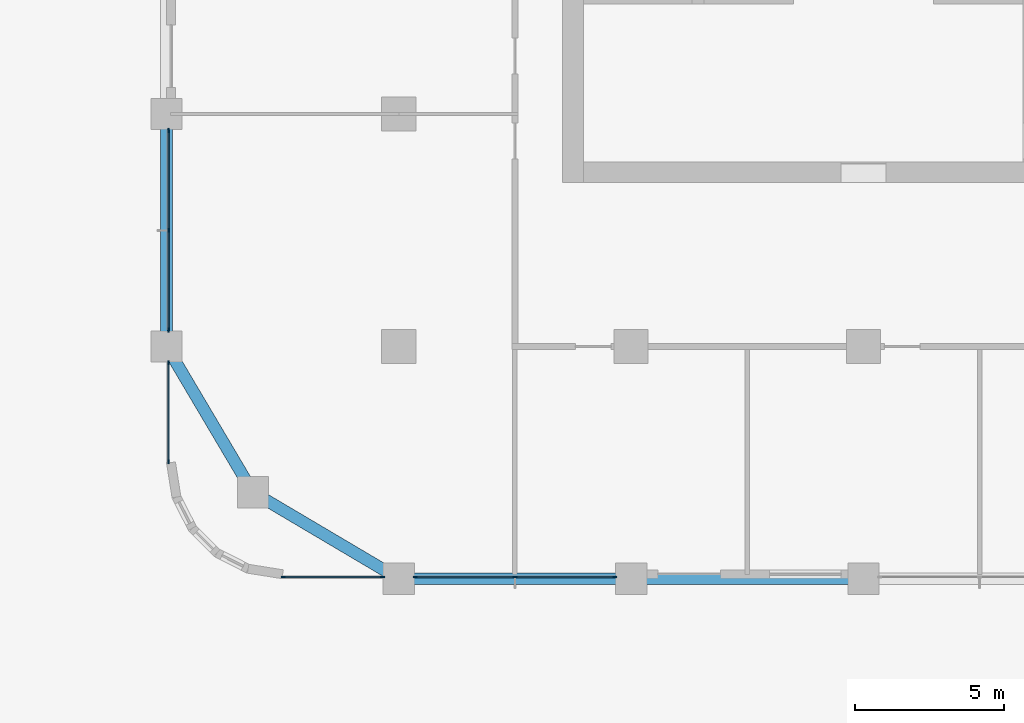
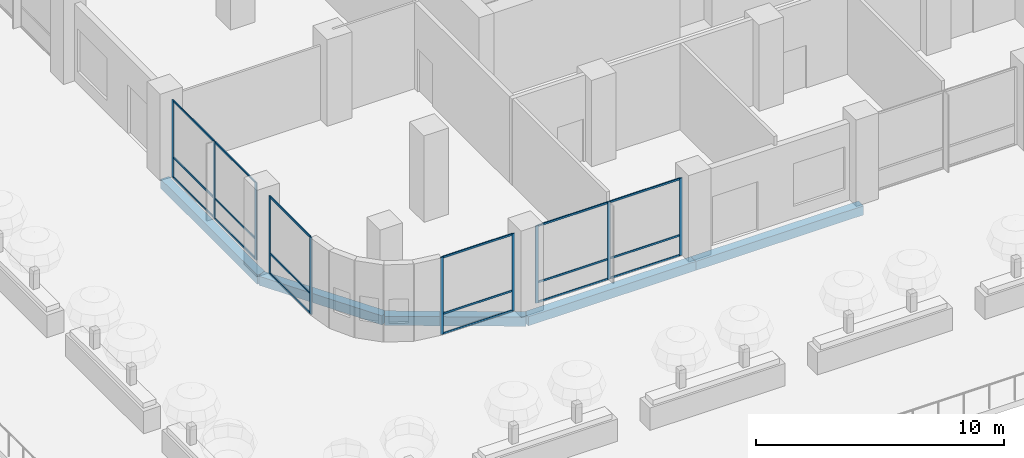
# One storey, part 2 of 31: 28 members, 5 beams, 4 elements without a shape of their own.
"""IFC4 building model written with IfcOpenShell, lengths in metres."""

from ifc_helpers import new_model, si_unit, direction, frame, origin, origin_2d, place, context, subcontext, project, spatial, rectangle, extrude, material, material_profile, profile_set, type_object, element, aggregate, save


model = new_model("IFC4")

# Units and contexts
model_context = context("Model", 3, precision=1e-05, world=origin(), true_north=direction((0.0, 1.0)))
body_context = subcontext(model_context, "Body", "Model", "MODEL_VIEW")
ifc_project = project(units=[si_unit("LENGTHUNIT", "METRE"), si_unit("AREAUNIT", "SQUARE_METRE"), si_unit("VOLUMEUNIT", "CUBIC_METRE"), si_unit("PLANEANGLEUNIT", "RADIAN"), si_unit("MASSUNIT", "GRAM", prefix="KILO")], contexts=[model_context])

# Site, building, storey
site_placement = place(None, origin())
site = spatial("IfcSite", under=ifc_project, at=site_placement, CompositionType="ELEMENT")
building_placement = place(site_placement, origin())
building = spatial("IfcBuilding", under=site, at=building_placement, Name="Ludao Terraces", CompositionType="ELEMENT")
storey_placement = place(building_placement, frame((0.0, 0.0, 15.0)))
storey = spatial("IfcBuildingStorey", under=building, at=storey_placement, Name="L03", CompositionType="ELEMENT", Elevation=15.0)

# Curtain wall, members
ifc_material_1 = material(Name="Aluminium curtain wall with fritted glass", Category="aluminium")
curtain_wall_type = type_object("IfcCurtainWallType", Name="ENV CW5 amenity glazing", PredefinedType="NOTDEFINED", material=ifc_material_1)
curtain_wall_1_placement = place(storey_placement, origin())
curtain_wall_1 = element("IfcCurtainWall", 1, at=curtain_wall_1_placement, inside=storey, type_object=curtain_wall_type, Name="Amenity glazing L03 S1", PredefinedType="NOTDEFINED")
ifc_material_2 = material(Name="Aluminium 6063-T6", Category="aluminium")
ifc_material_profile_1 = material_profile(ifc_material_2, rectangle(XDim=0.050048828125, YDim=0.139892578125, at=origin_2d()), Name="50 X 140")
ifc_profile_set_1 = profile_set([ifc_material_profile_1], Name="Aluminium 6063-T6")
member_type_1 = type_object("IfcMemberType", Name="ENV CW5 mullion 50x140", PredefinedType="MULLION", material=ifc_profile_set_1)
member_1_placement = place(storey_placement, frame((65.52490234375, 41.659912109375, 0.0), z_axis=(0.0, 0.0, 1.0), x_axis=(0.0, 1.0, 0.0)))
member_1 = element("IfcMember", 2, at=member_1_placement, type_object=member_type_1, Name="CW5 mullion 1", PredefinedType="MULLION", context=body_context, shape_type="SweptSolid", body=[
    extrude(rectangle(XDim=0.050048828125, YDim=0.139892578125, at=origin_2d()), origin(), (0.0, 0.0, 1.0), 3.800048828125),
])
member_2_placement = place(storey_placement, frame((68.85009765625, 41.659912109375, 0.0), z_axis=(0.0, 0.0, 1.0), x_axis=(0.0, 1.0, 0.0)))
member_2 = element("IfcMember", 3, at=member_2_placement, type_object=member_type_1, Name="CW5 mullion 2", PredefinedType="MULLION", context=body_context, shape_type="SweptSolid", body=[
    extrude(rectangle(XDim=0.050048828125, YDim=0.139892578125, at=origin_2d()), origin(), (0.0, 0.0, 1.0), 3.800048828125),
])

curtain_wall_2_placement = place(storey_placement, origin())
curtain_wall_2 = element("IfcCurtainWall", 4, at=curtain_wall_2_placement, inside=storey, type_object=curtain_wall_type, Name="Amenity glazing L03 S2", PredefinedType="NOTDEFINED")
member_3_placement = place(storey_placement, frame((69.949951171875, 41.659912109375, 0.0), z_axis=(0.0, 0.0, 1.0), x_axis=(0.0, 1.0, 0.0)))
member_3 = element("IfcMember", 5, at=member_3_placement, type_object=member_type_1, Name="CW5 mullion 1", PredefinedType="MULLION", context=body_context, shape_type="SweptSolid", body=[
    extrude(rectangle(XDim=0.050048828125, YDim=0.139892578125, at=origin_2d()), origin(), (0.0, 0.0, 1.0), 3.800048828125),
])
member_4_placement = place(storey_placement, frame((73.300048828125, 41.659912109375, 0.0), z_axis=(0.0, 0.0, 1.0), x_axis=(0.0, 1.0, 0.0)))
member_4 = element("IfcMember", 6, at=member_4_placement, type_object=member_type_1, Name="CW5 mullion 2", PredefinedType="MULLION", context=body_context, shape_type="SweptSolid", body=[
    extrude(rectangle(XDim=0.050048828125, YDim=0.139892578125, at=origin_2d()), origin(), (0.0, 0.0, 1.0), 3.800048828125),
])
member_5_placement = place(storey_placement, frame((76.64990234375, 41.659912109375, 0.0), z_axis=(0.0, 0.0, 1.0), x_axis=(0.0, 1.0, 0.0)))
member_5 = element("IfcMember", 7, at=member_5_placement, type_object=member_type_1, Name="CW5 mullion 3", PredefinedType="MULLION", context=body_context, shape_type="SweptSolid", body=[
    extrude(rectangle(XDim=0.050048828125, YDim=0.139892578125, at=origin_2d()), origin(), (0.0, 0.0, 1.0), 3.800048828125),
])

curtain_wall_3_placement = place(storey_placement, origin())
curtain_wall_3 = element("IfcCurtainWall", 8, at=curtain_wall_3_placement, inside=storey, type_object=curtain_wall_type, Name="Amenity glazing L03 W1", PredefinedType="NOTDEFINED")
member_6_placement = place(storey_placement, frame((61.659912109375, 45.52490234375, 0.0), z_axis=(0.0, 0.0, 1.0), x_axis=(-1.0, 0.0, 0.0)))
member_6 = element("IfcMember", 9, at=member_6_placement, type_object=member_type_1, Name="CW5 mullion 1", PredefinedType="MULLION", context=body_context, shape_type="SweptSolid", body=[
    extrude(rectangle(XDim=0.050048828125, YDim=0.139892578125, at=origin_2d()), origin(), (0.0, 0.0, 1.0), 3.800048828125),
])
member_7_placement = place(storey_placement, frame((61.659912109375, 48.85009765625, 0.0), z_axis=(0.0, 0.0, 1.0), x_axis=(-1.0, 0.0, 0.0)))
member_7 = element("IfcMember", 10, at=member_7_placement, type_object=member_type_1, Name="CW5 mullion 2", PredefinedType="MULLION", context=body_context, shape_type="SweptSolid", body=[
    extrude(rectangle(XDim=0.050048828125, YDim=0.139892578125, at=origin_2d()), origin(), (0.0, 0.0, 1.0), 3.800048828125),
])

curtain_wall_4_placement = place(storey_placement, origin())
curtain_wall_4 = element("IfcCurtainWall", 11, at=curtain_wall_4_placement, inside=storey, type_object=curtain_wall_type, Name="Amenity glazing L03 W2", PredefinedType="NOTDEFINED")
member_8_placement = place(storey_placement, frame((61.659912109375, 49.949951171875, 0.0), z_axis=(0.0, 0.0, 1.0), x_axis=(-1.0, 0.0, 0.0)))
member_8 = element("IfcMember", 12, at=member_8_placement, type_object=member_type_1, Name="CW5 mullion 1", PredefinedType="MULLION", context=body_context, shape_type="SweptSolid", body=[
    extrude(rectangle(XDim=0.050048828125, YDim=0.139892578125, at=origin_2d()), origin(), (0.0, 0.0, 1.0), 3.800048828125),
])
member_9_placement = place(storey_placement, frame((61.659912109375, 53.300048828125, 0.0), z_axis=(0.0, 0.0, 1.0), x_axis=(-1.0, 0.0, 0.0)))
member_9 = element("IfcMember", 13, at=member_9_placement, type_object=member_type_1, Name="CW5 mullion 2", PredefinedType="MULLION", context=body_context, shape_type="SweptSolid", body=[
    extrude(rectangle(XDim=0.050048828125, YDim=0.139892578125, at=origin_2d()), origin(), (0.0, 0.0, 1.0), 3.800048828125),
])
member_10_placement = place(storey_placement, frame((61.659912109375, 56.64990234375, 0.0), z_axis=(0.0, 0.0, 1.0), x_axis=(-1.0, 0.0, 0.0)))
member_10 = element("IfcMember", 14, at=member_10_placement, type_object=member_type_1, Name="CW5 mullion 3", PredefinedType="MULLION", context=body_context, shape_type="SweptSolid", body=[
    extrude(rectangle(XDim=0.050048828125, YDim=0.139892578125, at=origin_2d()), origin(), (0.0, 0.0, 1.0), 3.800048828125),
])

# Member
ifc_material_profile_2 = material_profile(ifc_material_2, rectangle(XDim=0.050048828125, YDim=0.090087890625, at=origin_2d()), Name="50 X 90")
ifc_profile_set_2 = profile_set([ifc_material_profile_2], Name="Aluminium 6063-T6")
member_type_2 = type_object("IfcMemberType", Name="ENV CW5 transom 50x90", PredefinedType="USERDEFINED", material=ifc_profile_set_2)
member_11_placement = place(storey_placement, frame((65.550048828125, 41.659912109375, 0.02490234375), z_axis=(1.0, 0.0, 0.0), x_axis=(0.0, 1.0, 0.0)))
member_11 = element("IfcMember", 15, at=member_11_placement, type_object=member_type_2, Name="CW5 transom 1.1", ObjectType="TRANSOM", PredefinedType="USERDEFINED", context=body_context, shape_type="SweptSolid", body=[
    extrude(rectangle(XDim=0.050048828125, YDim=0.090087890625, at=origin_2d()), origin(), (0.0, 0.0, 1.0), 3.27490234375),
])

member_12_placement = place(storey_placement, frame((65.550048828125, 41.659912109375, 1.0), z_axis=(1.0, 0.0, 0.0), x_axis=(0.0, 1.0, 0.0)))
member_12 = element("IfcMember", 16, at=member_12_placement, type_object=member_type_2, Name="CW5 transom 1.2", ObjectType="TRANSOM", PredefinedType="USERDEFINED", context=body_context, shape_type="SweptSolid", body=[
    extrude(rectangle(XDim=0.050048828125, YDim=0.090087890625, at=origin_2d()), origin(), (0.0, 0.0, 1.0), 3.27490234375),
])

member_13_placement = place(storey_placement, frame((65.550048828125, 41.659912109375, 3.77490234375), z_axis=(1.0, 0.0, 0.0), x_axis=(0.0, 1.0, 0.0)))
member_13 = element("IfcMember", 17, at=member_13_placement, type_object=member_type_2, Name="CW5 transom 1.3", ObjectType="TRANSOM", PredefinedType="USERDEFINED", context=body_context, shape_type="SweptSolid", body=[
    extrude(rectangle(XDim=0.050048828125, YDim=0.090087890625, at=origin_2d()), origin(), (0.0, 0.0, 1.0), 3.27490234375),
])

aggregate(curtain_wall_1, [member_1, member_2, member_11, member_12, member_13])

member_14_placement = place(storey_placement, frame((69.97509765625, 41.659912109375, 0.02490234375), z_axis=(1.0, 0.0, 0.0), x_axis=(0.0, 1.0, 0.0)))
member_14 = element("IfcMember", 18, at=member_14_placement, type_object=member_type_2, Name="CW5 transom 1.1", ObjectType="TRANSOM", PredefinedType="USERDEFINED", context=body_context, shape_type="SweptSolid", body=[
    extrude(rectangle(XDim=0.050048828125, YDim=0.090087890625, at=origin_2d()), origin(), (0.0, 0.0, 1.0), 3.2998046875),
])

member_15_placement = place(storey_placement, frame((69.97509765625, 41.659912109375, 1.0), z_axis=(1.0, 0.0, 0.0), x_axis=(0.0, 1.0, 0.0)))
member_15 = element("IfcMember", 19, at=member_15_placement, type_object=member_type_2, Name="CW5 transom 1.2", ObjectType="TRANSOM", PredefinedType="USERDEFINED", context=body_context, shape_type="SweptSolid", body=[
    extrude(rectangle(XDim=0.050048828125, YDim=0.090087890625, at=origin_2d()), origin(), (0.0, 0.0, 1.0), 3.2998046875),
])

member_16_placement = place(storey_placement, frame((69.97509765625, 41.659912109375, 3.77490234375), z_axis=(1.0, 0.0, 0.0), x_axis=(0.0, 1.0, 0.0)))
member_16 = element("IfcMember", 20, at=member_16_placement, type_object=member_type_2, Name="CW5 transom 1.3", ObjectType="TRANSOM", PredefinedType="USERDEFINED", context=body_context, shape_type="SweptSolid", body=[
    extrude(rectangle(XDim=0.050048828125, YDim=0.090087890625, at=origin_2d()), origin(), (0.0, 0.0, 1.0), 3.2998046875),
])

member_17_placement = place(storey_placement, frame((73.324951171875, 41.659912109375, 0.02490234375), z_axis=(1.0, 0.0, 0.0), x_axis=(0.0, 1.0, 0.0)))
member_17 = element("IfcMember", 21, at=member_17_placement, type_object=member_type_2, Name="CW5 transom 2.1", ObjectType="TRANSOM", PredefinedType="USERDEFINED", context=body_context, shape_type="SweptSolid", body=[
    extrude(rectangle(XDim=0.050048828125, YDim=0.090087890625, at=origin_2d()), origin(), (0.0, 0.0, 1.0), 3.300048828125),
])

member_18_placement = place(storey_placement, frame((73.324951171875, 41.659912109375, 1.0), z_axis=(1.0, 0.0, 0.0), x_axis=(0.0, 1.0, 0.0)))
member_18 = element("IfcMember", 22, at=member_18_placement, type_object=member_type_2, Name="CW5 transom 2.2", ObjectType="TRANSOM", PredefinedType="USERDEFINED", context=body_context, shape_type="SweptSolid", body=[
    extrude(rectangle(XDim=0.050048828125, YDim=0.090087890625, at=origin_2d()), origin(), (0.0, 0.0, 1.0), 3.300048828125),
])

member_19_placement = place(storey_placement, frame((73.324951171875, 41.659912109375, 3.77490234375), z_axis=(1.0, 0.0, 0.0), x_axis=(0.0, 1.0, 0.0)))
member_19 = element("IfcMember", 23, at=member_19_placement, type_object=member_type_2, Name="CW5 transom 2.3", ObjectType="TRANSOM", PredefinedType="USERDEFINED", context=body_context, shape_type="SweptSolid", body=[
    extrude(rectangle(XDim=0.050048828125, YDim=0.090087890625, at=origin_2d()), origin(), (0.0, 0.0, 1.0), 3.300048828125),
])

aggregate(curtain_wall_2, [member_3, member_4, member_5, member_14, member_15, member_16, member_17, member_18, member_19])

member_20_placement = place(storey_placement, frame((61.659912109375, 45.550048828125, 0.02490234375), z_axis=(0.0, 1.0, 0.0), x_axis=(-1.0, 0.0, 0.0)))
member_20 = element("IfcMember", 24, at=member_20_placement, type_object=member_type_2, Name="CW5 transom 1.1", ObjectType="TRANSOM", PredefinedType="USERDEFINED", context=body_context, shape_type="SweptSolid", body=[
    extrude(rectangle(XDim=0.050048828125, YDim=0.090087890625, at=origin_2d()), origin(), (0.0, 0.0, 1.0), 3.27490234375),
])

member_21_placement = place(storey_placement, frame((61.659912109375, 45.550048828125, 1.0), z_axis=(0.0, 1.0, 0.0), x_axis=(-1.0, 0.0, 0.0)))
member_21 = element("IfcMember", 25, at=member_21_placement, type_object=member_type_2, Name="CW5 transom 1.2", ObjectType="TRANSOM", PredefinedType="USERDEFINED", context=body_context, shape_type="SweptSolid", body=[
    extrude(rectangle(XDim=0.050048828125, YDim=0.090087890625, at=origin_2d()), origin(), (0.0, 0.0, 1.0), 3.27490234375),
])

member_22_placement = place(storey_placement, frame((61.659912109375, 45.550048828125, 3.77490234375), z_axis=(0.0, 1.0, 0.0), x_axis=(-1.0, 0.0, 0.0)))
member_22 = element("IfcMember", 26, at=member_22_placement, type_object=member_type_2, Name="CW5 transom 1.3", ObjectType="TRANSOM", PredefinedType="USERDEFINED", context=body_context, shape_type="SweptSolid", body=[
    extrude(rectangle(XDim=0.050048828125, YDim=0.090087890625, at=origin_2d()), origin(), (0.0, 0.0, 1.0), 3.27490234375),
])

aggregate(curtain_wall_3, [member_6, member_7, member_20, member_21, member_22])

member_23_placement = place(storey_placement, frame((61.659912109375, 49.97509765625, 0.02490234375), z_axis=(0.0, 1.0, 0.0), x_axis=(-1.0, 0.0, 0.0)))
member_23 = element("IfcMember", 27, at=member_23_placement, type_object=member_type_2, Name="CW5 transom 1.1", ObjectType="TRANSOM", PredefinedType="USERDEFINED", context=body_context, shape_type="SweptSolid", body=[
    extrude(rectangle(XDim=0.050048828125, YDim=0.090087890625, at=origin_2d()), origin(), (0.0, 0.0, 1.0), 3.2998046875),
])

member_24_placement = place(storey_placement, frame((61.659912109375, 49.97509765625, 1.0), z_axis=(0.0, 1.0, 0.0), x_axis=(-1.0, 0.0, 0.0)))
member_24 = element("IfcMember", 28, at=member_24_placement, type_object=member_type_2, Name="CW5 transom 1.2", ObjectType="TRANSOM", PredefinedType="USERDEFINED", context=body_context, shape_type="SweptSolid", body=[
    extrude(rectangle(XDim=0.050048828125, YDim=0.090087890625, at=origin_2d()), origin(), (0.0, 0.0, 1.0), 3.2998046875),
])

member_25_placement = place(storey_placement, frame((61.659912109375, 49.97509765625, 3.77490234375), z_axis=(0.0, 1.0, 0.0), x_axis=(-1.0, 0.0, 0.0)))
member_25 = element("IfcMember", 29, at=member_25_placement, type_object=member_type_2, Name="CW5 transom 1.3", ObjectType="TRANSOM", PredefinedType="USERDEFINED", context=body_context, shape_type="SweptSolid", body=[
    extrude(rectangle(XDim=0.050048828125, YDim=0.090087890625, at=origin_2d()), origin(), (0.0, 0.0, 1.0), 3.2998046875),
])

member_26_placement = place(storey_placement, frame((61.659912109375, 53.324951171875, 0.02490234375), z_axis=(0.0, 1.0, 0.0), x_axis=(-1.0, 0.0, 0.0)))
member_26 = element("IfcMember", 30, at=member_26_placement, type_object=member_type_2, Name="CW5 transom 2.1", ObjectType="TRANSOM", PredefinedType="USERDEFINED", context=body_context, shape_type="SweptSolid", body=[
    extrude(rectangle(XDim=0.050048828125, YDim=0.090087890625, at=origin_2d()), origin(), (0.0, 0.0, 1.0), 3.300048828125),
])

member_27_placement = place(storey_placement, frame((61.659912109375, 53.324951171875, 1.0), z_axis=(0.0, 1.0, 0.0), x_axis=(-1.0, 0.0, 0.0)))
member_27 = element("IfcMember", 31, at=member_27_placement, type_object=member_type_2, Name="CW5 transom 2.2", ObjectType="TRANSOM", PredefinedType="USERDEFINED", context=body_context, shape_type="SweptSolid", body=[
    extrude(rectangle(XDim=0.050048828125, YDim=0.090087890625, at=origin_2d()), origin(), (0.0, 0.0, 1.0), 3.300048828125),
])

member_28_placement = place(storey_placement, frame((61.659912109375, 53.324951171875, 3.77490234375), z_axis=(0.0, 1.0, 0.0), x_axis=(-1.0, 0.0, 0.0)))
member_28 = element("IfcMember", 32, at=member_28_placement, type_object=member_type_2, Name="CW5 transom 2.3", ObjectType="TRANSOM", PredefinedType="USERDEFINED", context=body_context, shape_type="SweptSolid", body=[
    extrude(rectangle(XDim=0.050048828125, YDim=0.090087890625, at=origin_2d()), origin(), (0.0, 0.0, 1.0), 3.300048828125),
])

aggregate(curtain_wall_4, [member_8, member_9, member_10, member_23, member_24, member_25, member_26, member_27, member_28])

# Beams
ifc_material_3 = material(Name="Concrete C40", Category="concrete")
ifc_material_profile_3 = material_profile(ifc_material_3, rectangle(XDim=0.39990234375, YDim=0.449951171875, at=origin_2d()), Name="400 X 450")
ifc_profile_set_3 = profile_set([ifc_material_profile_3], Name="Concrete C40")
beam_type = type_object("IfcBeamType", Name="RC beam 400x450 C40", PredefinedType="BEAM", material=ifc_profile_set_3)
beam_1_placement = place(storey_placement, frame((64.5, 44.5, -0.574951171875), z_axis=(0.860579751256, -0.509315709288, 0.0), x_axis=(0.509315709288, 0.860579751256, 0.0)))
element("IfcBeam", 33, at=beam_1_placement, inside=storey, type_object=beam_type, Name="Spandrel beam L03 S1", PredefinedType="BEAM", context=body_context, shape_type="SweptSolid", body=[
    extrude(rectangle(XDim=0.39990234375, YDim=0.449951171875, at=origin_2d()), origin(), (0.0, 0.0, 1.0), 5.693603515625),
])
for number, where, z_axis, x_axis, name in (
    (34, (69.39990234375, 41.60009765625, -0.574951171875), (1.0, 0.0, 0.0), (0.0, 1.0, 0.0), "Spandrel beam L03 S2"),
    (35, (77.199951171875, 41.60009765625, -0.574951171875), (1.0, 0.0, 0.0), (0.0, 1.0, 0.0), "Spandrel beam L03 S3"),
):
    element("IfcBeam", number, at=place(storey_placement, frame(where, z_axis=z_axis, x_axis=x_axis)), inside=storey, type_object=beam_type, Name=name, PredefinedType="BEAM", context=body_context, shape_type="SweptSolid", body=[
        extrude(rectangle(XDim=0.39990234375, YDim=0.449951171875, at=origin_2d()), origin(), (0.0, 0.0, 1.0), 7.800048828125),
    ])
beam_2_placement = place(storey_placement, frame((64.5, 44.5, -0.574951171875), z_axis=(-0.509315709288, 0.860579751256, 0.0), x_axis=(-0.860579751256, -0.509315709288, 0.0)))
element("IfcBeam", 36, at=beam_2_placement, inside=storey, type_object=beam_type, Name="Spandrel beam L03 W13", PredefinedType="BEAM", context=body_context, shape_type="SweptSolid", body=[
    extrude(rectangle(XDim=0.39990234375, YDim=0.449951171875, at=origin_2d()), origin(), (0.0, 0.0, 1.0), 5.693603515625),
])
beam_3_placement = place(storey_placement, frame((61.60009765625, 49.39990234375, -0.574951171875), z_axis=(0.0, 1.0, 0.0), x_axis=(-1.0, 0.0, 0.0)))
element("IfcBeam", 37, at=beam_3_placement, inside=storey, type_object=beam_type, Name="Spandrel beam L03 W14", PredefinedType="BEAM", context=body_context, shape_type="SweptSolid", body=[
    extrude(rectangle(XDim=0.39990234375, YDim=0.449951171875, at=origin_2d()), origin(), (0.0, 0.0, 1.0), 7.800048828125),
])

save(model, "model.ifc")
